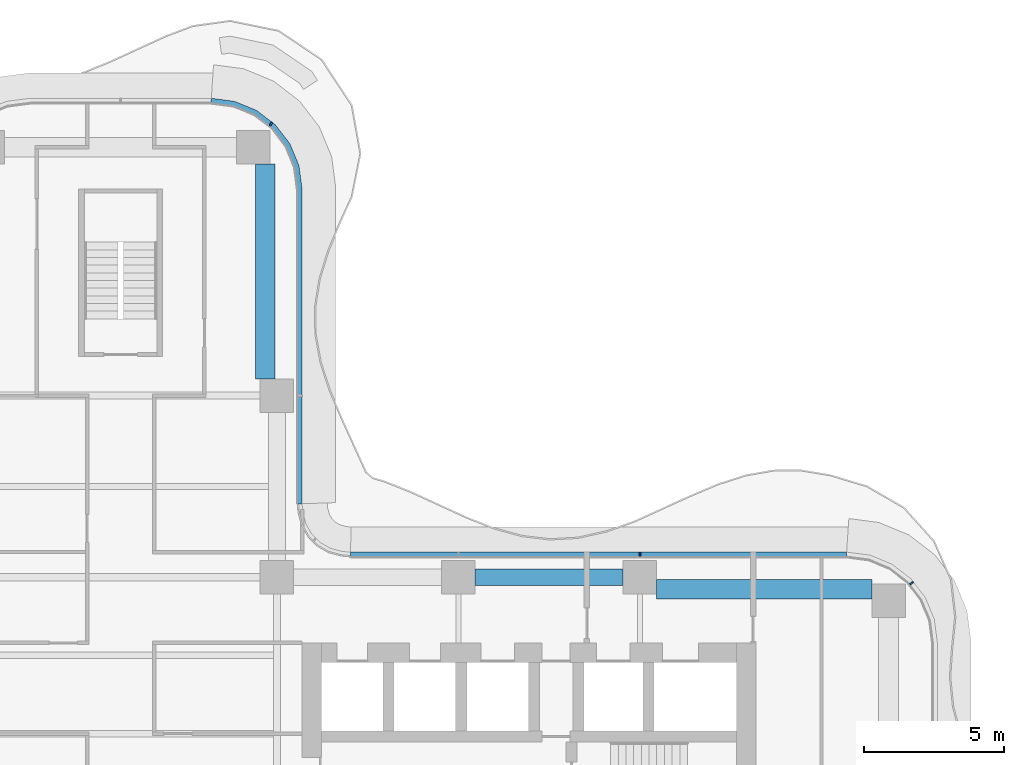
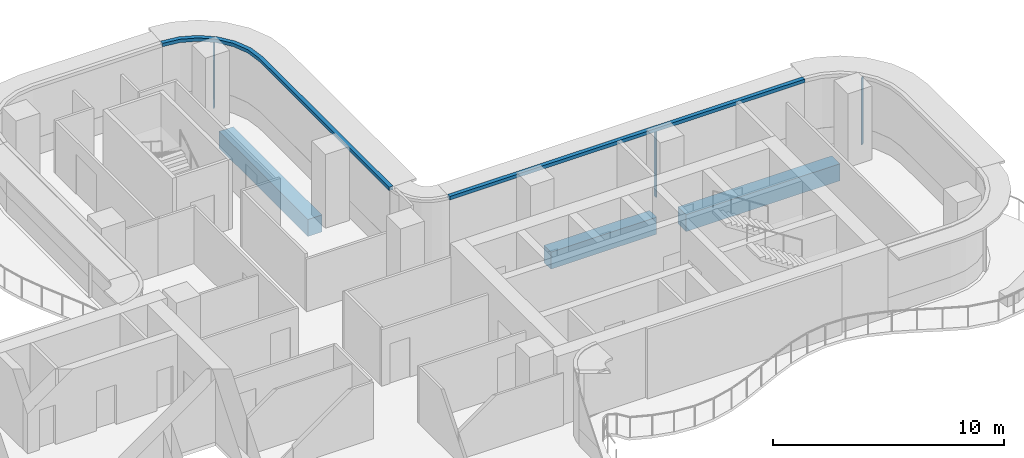
# One storey, part 9 of 19: 5 members, 3 beams, 3 elements without a shape of their own.
"""IFC4 building model written with IfcOpenShell, lengths in metres."""

from ifc_helpers import new_model, si_unit, direction, frame, origin, origin_2d, place, context, subcontext, project, spatial, polyline, rectangle, outline, extrude, source, transform, mapped, material, layer, layer_set, material_profile, profile_set, type_object, element, aggregate, save


model = new_model("IFC4")

# Units and contexts
model_context = context("Model", 3, precision=1e-05, world=origin(), true_north=direction((0.0, 1.0)))
body_context = subcontext(model_context, "Body", "Model", "MODEL_VIEW")
ifc_project = project(units=[si_unit("LENGTHUNIT", "METRE"), si_unit("AREAUNIT", "SQUARE_METRE"), si_unit("VOLUMEUNIT", "CUBIC_METRE"), si_unit("PLANEANGLEUNIT", "RADIAN"), si_unit("MASSUNIT", "GRAM", prefix="KILO")], contexts=[model_context])

# Site, building, storey
site_placement = place(None, origin())
site = spatial("IfcSite", under=ifc_project, at=site_placement, CompositionType="ELEMENT")
building_placement = place(site_placement, origin())
building = spatial("IfcBuilding", under=site, at=building_placement, Name="Trellis Farm Tower", CompositionType="ELEMENT")
storey_placement = place(building_placement, frame((0.0, 0.0, 197.10009765625)))
storey = spatial("IfcBuildingStorey", under=building, at=storey_placement, Name="L43", CompositionType="ELEMENT", Elevation=197.10009765625)

# Beams
ifc_material_1 = material(Name="Concrete C60/75", Category="concrete")
ifc_material_profile_1 = material_profile(ifc_material_1, rectangle(XDim=0.60009765625, YDim=0.89990234375, at=origin_2d()), Name="RC spandrel beam 600x900 C60/75")
ifc_profile_set_1 = profile_set([ifc_material_profile_1], Name="Concrete C60/75")
beam_type_1 = type_object("IfcBeamType", Name="RC spandrel beam 600x900 C60/75", PredefinedType="SPANDREL", material=ifc_profile_set_1)
shared_shape_1 = source(origin(), body_context, "Body", "SweptSolid", [
    extrude(rectangle(XDim=0.60009765625, YDim=0.89990234375, at=origin_2d()), origin(), (0.0, 0.0, 1.0), 5.300048828125),
])
beam_placement = place(storey_placement, frame((12.699951171875, 5.60009765625, -0.650146484375), z_axis=(1.0, 0.0, 0.0), x_axis=(0.0, 1.0, 0.0)))
element("IfcBeam", 1, at=beam_placement, inside=storey, type_object=beam_type_1, Name="Girder", PredefinedType="SPANDREL", context=body_context, shape_type="MappedRepresentation", body=[
    mapped(shared_shape_1, transform((0.0, 0.0, 0.0))),
])
ifc_material_profile_2 = material_profile(ifc_material_1, rectangle(XDim=0.699951171875, YDim=0.89990234375, at=origin_2d()), Name="RC spandrel beam 700x900 C60/75")
ifc_profile_set_2 = profile_set([ifc_material_profile_2], Name="Concrete C60/75")
beam_type_2 = type_object("IfcBeamType", Name="RC spandrel beam 700x900 C60/75", PredefinedType="SPANDREL", material=ifc_profile_set_2)
shared_shape_2 = source(origin(), body_context, "Body", "SweptSolid", [
    extrude(rectangle(XDim=0.699951171875, YDim=0.89990234375, at=origin_2d()), origin(), (0.0, 0.0, 1.0), 7.699951171875),
])
for number, where, z_axis, x_axis, name in (
    (2, (19.199951171875, 5.175048828125, -0.650146484375), (1.0, 0.0, 0.0), (0.0, 1.0, 0.0), "Girder"),
    (3, (5.175048828125, 12.699951171875, -0.650146484375), (0.0, 1.0, 0.0), (-1.0, 0.0, 0.0), "Girder"),
):
    element("IfcBeam", number, at=place(storey_placement, frame(where, z_axis=z_axis, x_axis=x_axis)), inside=storey, type_object=beam_type_2, Name=name, PredefinedType="SPANDREL", context=body_context, shape_type="MappedRepresentation", body=[
        mapped(shared_shape_2, transform((0.0, 0.0, 0.0))),
    ])

# Curtain wall, member
ifc_material_2 = material(Name="Aluminium and glass curtain wall", Category="aluminium")
ifc_layer_1 = layer(ifc_material_2, 0.18994140625)
ifc_layer_set_1 = layer_set([ifc_layer_1], Name="RIBBON CURTAIN WALL CW1")
curtain_wall_type = type_object("IfcCurtainWallType", Name="RIBBON CURTAIN WALL CW1", PredefinedType="NOTDEFINED", material=ifc_layer_set_1)
placement_1 = place(storey_placement, origin())
curtain_wall_1 = element("IfcCurtainWall", 4, at=placement_1, inside=storey, type_object=curtain_wall_type, Name="CW1 008", PredefinedType="NOTDEFINED")
ifc_material_3 = material(Name="Aluminium extrusion 6063-T6", Category="aluminium")
ifc_layer_2 = layer(ifc_material_3, 0.199951171875)
ifc_layer_set_2 = layer_set([ifc_layer_2], Name="Aluminium extrusion 6063-T6")
member_type_1 = type_object("IfcMemberType", Name="CW1 TRANSOM 200x180", PredefinedType="USERDEFINED", material=ifc_layer_set_2)
shared_shape_3 = source(origin(), body_context, "Body", "SweptSolid", [
    extrude(outline(polyline([(26.0, 6.5), (8.2314453125, 6.5), (8.224853515625, 6.300048828125), (25.98681640625, 6.300048828125), (26.0, 6.5)])), origin(), (0.0, 0.0, 1.0), 0.179931640625),
])
placement_2 = place(storey_placement, frame((0.0, 0.0, 3.52001953125)))
member_1 = element("IfcMember", 5, at=placement_2, type_object=member_type_1, Name="TR1 008", ObjectType="TRANSOM", PredefinedType="USERDEFINED", context=body_context, shape_type="MappedRepresentation", body=[
    mapped(shared_shape_3, transform((0.0, 0.0, 0.0))),
])

curtain_wall_2 = element("IfcCurtainWall", 6, at=placement_1, inside=storey, type_object=curtain_wall_type, Name="CW1 007", PredefinedType="NOTDEFINED")
ifc_material_profile_3 = material_profile(ifc_material_3, rectangle(XDim=0.06005859375, YDim=0.14990234375, at=origin_2d()), Name="MULLION 60x150")
ifc_profile_set_3 = profile_set([ifc_material_profile_3], Name="Aluminium extrusion 6063-T6")
member_type_2 = type_object("IfcMemberType", Name="CW1 MULLION 60x150", PredefinedType="MULLION", material=ifc_profile_set_3)
shared_shape_4 = source(origin(), body_context, "Body", "SweptSolid", [
    extrude(rectangle(XDim=0.06005859375, YDim=0.14990234375, at=origin_2d()), origin(), (0.0, 0.0, 1.0), 3.52001953125),
])
member_2_placement = place(storey_placement, frame((28.328369140625, 5.385498046875, 0.0), z_axis=(0.0, 0.0, 1.0), x_axis=(-0.608761429009, 0.793353340291, 0.0)))
member_2 = element("IfcMember", 7, at=member_2_placement, type_object=member_type_2, Name="MU1 007-02", PredefinedType="MULLION", context=body_context, shape_type="MappedRepresentation", body=[
    mapped(shared_shape_4, transform((0.0, 0.0, 0.0))),
])
aggregate(curtain_wall_2, [member_2])

# Member
member_3_placement = place(storey_placement, frame((18.60009765625, 6.425048828125, 0.0), z_axis=(0.0, 0.0, 1.0), x_axis=(-1.0, 0.0, 0.0)))
member_3 = element("IfcMember", 8, at=member_3_placement, type_object=member_type_2, Name="MU1 008-01", PredefinedType="MULLION", context=body_context, shape_type="MappedRepresentation", body=[
    mapped(shared_shape_4, transform((0.0, 0.0, 0.0))),
])

aggregate(curtain_wall_1, [member_3, member_1])

# Curtain wall, members
curtain_wall_3 = element("IfcCurtainWall", 9, at=placement_1, inside=storey, type_object=curtain_wall_type, Name="CW1 009", PredefinedType="NOTDEFINED")
member_4_placement = place(storey_placement, frame((5.385498046875, 21.828369140625, 0.0), z_axis=(0.0, 0.0, 1.0), x_axis=(-0.793353340291, 0.608761429009, 0.0)))
member_4 = element("IfcMember", 10, at=member_4_placement, type_object=member_type_2, Name="MU1 009-02", PredefinedType="MULLION", context=body_context, shape_type="MappedRepresentation", body=[
    mapped(shared_shape_4, transform((0.0, 0.0, 0.0))),
])
shared_shape_5 = source(origin(), body_context, "Body", "SweptSolid", [
    extrude(outline(polyline([(6.5, 8.2314453125), (6.5, 19.5), (6.38916015625, 20.341064453125), (6.064697265625, 21.125), (5.548095703125, 21.798095703125), (4.875, 22.314697265625), (4.091064453125, 22.63916015625), (3.25, 22.75), (3.23681640625, 22.550048828125), (4.0390625, 22.4443359375), (4.774169921875, 22.139892578125), (5.405517578125, 21.655517578125), (5.889892578125, 21.024169921875), (6.1943359375, 20.2890625), (6.300048828125, 19.48681640625), (6.300048828125, 8.224853515625), (6.5, 8.2314453125)])), origin(), (0.0, 0.0, 1.0), 0.179931640625),
])
member_5 = element("IfcMember", 11, at=placement_2, type_object=member_type_1, Name="TR1 009", ObjectType="TRANSOM", PredefinedType="USERDEFINED", context=body_context, shape_type="MappedRepresentation", body=[
    mapped(shared_shape_5, transform((0.0, 0.0, 0.0))),
])
aggregate(curtain_wall_3, [member_4, member_5])

save(model, "model.ifc")
